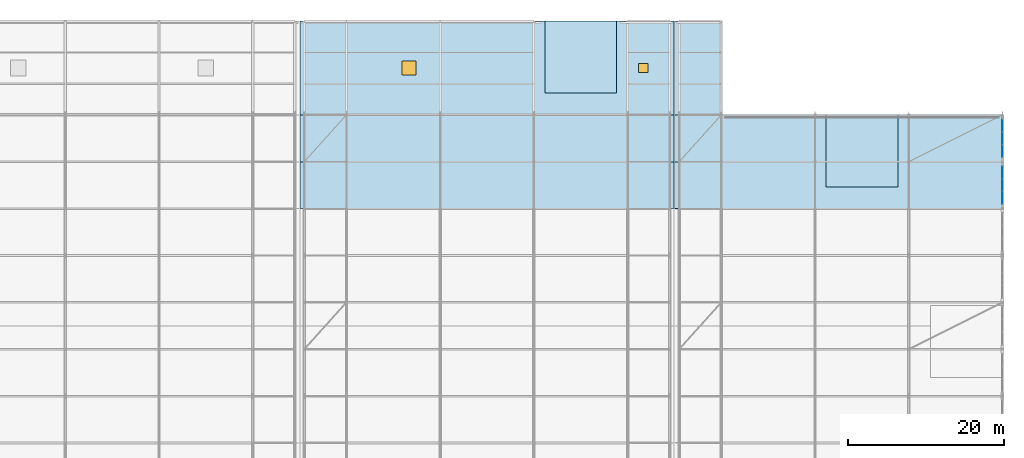
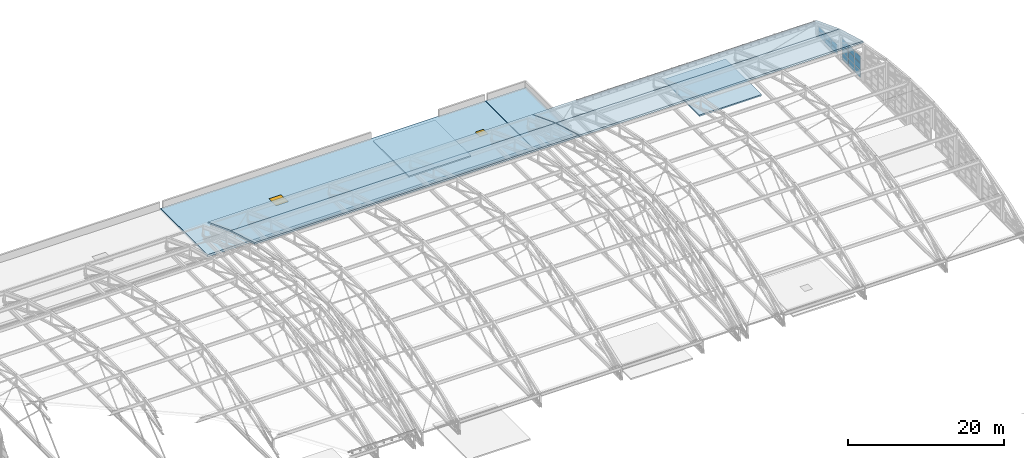
"""IFC4 building model written with IfcOpenShell, lengths in metres."""

from ifc_helpers import new_model, si_unit, direction, frame, origin, origin_2d, place, context, subcontext, project, spatial, polyline, rectangle, outline, extrude, material, layer, layer_set, type_object, element, fill, aggregate, save


model = new_model("IFC4")

# Units and contexts
model_context = context("Model", 3, precision=1e-05, world=origin(), true_north=direction((0.0, 1.0)))
body_context = subcontext(model_context, "Body", "Model", "MODEL_VIEW")
ifc_project = project(units=[si_unit("LENGTHUNIT", "METRE"), si_unit("AREAUNIT", "SQUARE_METRE"), si_unit("VOLUMEUNIT", "CUBIC_METRE"), si_unit("PLANEANGLEUNIT", "RADIAN"), si_unit("MASSUNIT", "GRAM", prefix="KILO")], contexts=[model_context])

# Site, building, storey
site_placement = place(None, origin())
site = spatial("IfcSite", under=ifc_project, at=site_placement, CompositionType="ELEMENT")
building_placement = place(site_placement, origin())
building = spatial("IfcBuilding", under=site, at=building_placement, Name="Zilviju Railside Exhibition Hall", CompositionType="ELEMENT")
storey_1_placement = place(building_placement, frame((0.0, 0.0, 21.0)))
storey_1 = spatial("IfcBuildingStorey", under=building, at=storey_1_placement, Name="RF", CompositionType="ELEMENT", Elevation=21.0)

# Curtain wall, plates
ifc_material_1 = material(Name="Thermally broken aluminium-steel triple-glazed curtain wall", Category="steel")
ifc_layer_1 = layer(ifc_material_1, 0.179931640625)
ifc_layer_set_1 = layer_set([ifc_layer_1], Name="Thermally broken aluminium-steel triple-glazed curtain wall")
curtain_wall_type_1 = type_object("IfcCurtainWallType", Name="CW-BAY-01", PredefinedType="USERDEFINED", material=ifc_layer_set_1)
curtain_wall_1_placement = place(storey_1_placement, origin())
curtain_wall_1 = element("IfcCurtainWall", 1, at=curtain_wall_1_placement, inside=storey_1, type_object=curtain_wall_type_1, Name="North Hall Arch Lower Tympanum Glazing East P9", ObjectType="GLAZED CURTAIN WALL", PredefinedType="USERDEFINED")
ifc_material_2 = material(Name="Laminated acoustic double-glazed porch unit", Category="glass")
ifc_layer_2 = layer(ifc_material_2, 0.031982421875)
ifc_layer_set_2 = layer_set([ifc_layer_2], Name="Laminated acoustic double-glazed porch unit")
plate_type_1 = type_object("IfcPlateType", Name="CWP-IGU-32", PredefinedType="CURTAIN_PANEL", material=ifc_layer_set_2)
plate_1_placement = place(storey_1_placement, frame((216.0, 136.618408203125, -3.5400390625), z_axis=(0.0, 0.0, 1.0), x_axis=(0.0, -1.0, 0.0)))
plate_1 = element("IfcPlate", 2, at=plate_1_placement, type_object=plate_type_1, Name="CW-01 panel 1.1", PredefinedType="CURTAIN_PANEL", context=body_context, shape_type="SweptSolid", body=[
    extrude(rectangle(XDim=1.543212890625, YDim=0.031982421875, at=origin_2d()), origin(), (0.0, 0.0, 1.0), 0.7099609375),
])
plate_2_placement = place(storey_1_placement, frame((216.0, 136.618408203125, -2.77001953125), z_axis=(0.0, 0.0, 1.0), x_axis=(0.0, -1.0, 0.0)))
plate_2 = element("IfcPlate", 3, at=plate_2_placement, type_object=plate_type_1, Name="CW-01 panel 1.2", PredefinedType="CURTAIN_PANEL", context=body_context, shape_type="SweptSolid", body=[
    extrude(rectangle(XDim=1.543212890625, YDim=0.031982421875, at=origin_2d()), origin(), (0.0, 0.0, 1.0), 0.7099609375),
])
plate_3_placement = place(storey_1_placement, frame((216.0, 135.0, -3.5400390625), z_axis=(0.0, 0.0, 1.0), x_axis=(0.0, -1.0, 0.0)))
plate_3 = element("IfcPlate", 4, at=plate_3_placement, type_object=plate_type_1, Name="CW-01 panel 2.1", PredefinedType="CURTAIN_PANEL", context=body_context, shape_type="SweptSolid", body=[
    extrude(rectangle(XDim=1.5732421875, YDim=0.031982421875, at=origin_2d()), origin(), (0.0, 0.0, 1.0), 0.7099609375),
])
plate_4_placement = place(storey_1_placement, frame((216.0, 135.0, -2.77001953125), z_axis=(0.0, 0.0, 1.0), x_axis=(0.0, -1.0, 0.0)))
plate_4 = element("IfcPlate", 5, at=plate_4_placement, type_object=plate_type_1, Name="CW-01 panel 2.2", PredefinedType="CURTAIN_PANEL", context=body_context, shape_type="SweptSolid", body=[
    extrude(rectangle(XDim=1.5732421875, YDim=0.031982421875, at=origin_2d()), origin(), (0.0, 0.0, 1.0), 0.7099609375),
])
plate_5_placement = place(storey_1_placement, frame((216.0, 133.381591796875, -3.5400390625), z_axis=(0.0, 0.0, 1.0), x_axis=(0.0, -1.0, 0.0)))
plate_5 = element("IfcPlate", 6, at=plate_5_placement, type_object=plate_type_1, Name="CW-01 panel 3.1", PredefinedType="CURTAIN_PANEL", context=body_context, shape_type="SweptSolid", body=[
    extrude(rectangle(XDim=1.543212890625, YDim=0.031982421875, at=origin_2d()), origin(), (0.0, 0.0, 1.0), 0.7099609375),
])
plate_6_placement = place(storey_1_placement, frame((216.0, 133.381591796875, -2.77001953125), z_axis=(0.0, 0.0, 1.0), x_axis=(0.0, -1.0, 0.0)))
plate_6 = element("IfcPlate", 7, at=plate_6_placement, type_object=plate_type_1, Name="CW-01 panel 3.2", PredefinedType="CURTAIN_PANEL", context=body_context, shape_type="SweptSolid", body=[
    extrude(rectangle(XDim=1.543212890625, YDim=0.031982421875, at=origin_2d()), origin(), (0.0, 0.0, 1.0), 0.7099609375),
])
aggregate(curtain_wall_1, [plate_1, plate_2, plate_3, plate_4, plate_5, plate_6])

ifc_layer_3 = layer(ifc_material_1, 0.179931640625)
ifc_layer_set_3 = layer_set([ifc_layer_3], Name="Thermally broken aluminium-steel triple-glazed curtain wall")
curtain_wall_type_2 = type_object("IfcCurtainWallType", Name="CW-BAY-20", PredefinedType="USERDEFINED", material=ifc_layer_set_3)
curtain_wall_2_placement = place(storey_1_placement, origin())
curtain_wall_2 = element("IfcCurtainWall", 8, at=curtain_wall_2_placement, inside=storey_1, type_object=curtain_wall_type_2, Name="North Hall Arch Lower Tympanum Glazing East P8", ObjectType="GLAZED CURTAIN WALL", PredefinedType="USERDEFINED")
ifc_material_3 = material(Name="Triple-glazed solar-control glass unit", Category="glass")
ifc_layer_4 = layer(ifc_material_3, 0.0380859375)
ifc_layer_set_4 = layer_set([ifc_layer_4], Name="Triple-glazed solar-control glass unit")
plate_type_2 = type_object("IfcPlateType", Name="CWP-IGU-38", PredefinedType="CURTAIN_PANEL", material=ifc_layer_set_4)
plate_7_placement = place(storey_1_placement, frame((216.0, 130.6171875, -3.53515625), z_axis=(0.0, 0.0, 1.0), x_axis=(0.0, -1.0, 0.0)))
plate_7 = element("IfcPlate", 9, at=plate_7_placement, type_object=plate_type_2, Name="CW-20 panel 1.1", PredefinedType="CURTAIN_PANEL", context=body_context, shape_type="SweptSolid", body=[
    extrude(rectangle(XDim=1.535888671875, YDim=0.0380859375, at=origin_2d()), origin(), (0.0, 0.0, 1.0), 1.035400390625),
])
plate_8_placement = place(storey_1_placement, frame((216.0, 130.6171875, -2.4345703125), z_axis=(0.0, 0.0, 1.0), x_axis=(0.0, -1.0, 0.0)))
plate_8 = element("IfcPlate", 10, at=plate_8_placement, type_object=plate_type_2, Name="CW-20 panel 1.2", PredefinedType="CURTAIN_PANEL", context=body_context, shape_type="SweptSolid", body=[
    extrude(rectangle(XDim=1.535888671875, YDim=0.0380859375, at=origin_2d()), origin(), (0.0, 0.0, 1.0), 1.069091796875),
])
plate_9_placement = place(storey_1_placement, frame((216.0, 130.6171875, -1.30029296875), z_axis=(0.0, 0.0, 1.0), x_axis=(0.0, -1.0, 0.0)))
plate_9 = element("IfcPlate", 11, at=plate_9_placement, type_object=plate_type_2, Name="CW-20 panel 1.3", PredefinedType="CURTAIN_PANEL", context=body_context, shape_type="SweptSolid", body=[
    extrude(rectangle(XDim=1.535888671875, YDim=0.0380859375, at=origin_2d()), origin(), (0.0, 0.0, 1.0), 1.035400390625),
])
plate_10_placement = place(storey_1_placement, frame((216.0, 129.0, -3.53515625), z_axis=(0.0, 0.0, 1.0), x_axis=(0.0, -1.0, 0.0)))
plate_10 = element("IfcPlate", 12, at=plate_10_placement, type_object=plate_type_2, Name="CW-20 panel 2.1", PredefinedType="CURTAIN_PANEL", context=body_context, shape_type="SweptSolid", body=[
    extrude(rectangle(XDim=1.568359375, YDim=0.0380859375, at=origin_2d()), origin(), (0.0, 0.0, 1.0), 1.035400390625),
])
plate_11_placement = place(storey_1_placement, frame((216.0, 129.0, -2.4345703125), z_axis=(0.0, 0.0, 1.0), x_axis=(0.0, -1.0, 0.0)))
plate_11 = element("IfcPlate", 13, at=plate_11_placement, type_object=plate_type_2, Name="CW-20 panel 2.2", PredefinedType="CURTAIN_PANEL", context=body_context, shape_type="SweptSolid", body=[
    extrude(rectangle(XDim=1.568359375, YDim=0.0380859375, at=origin_2d()), origin(), (0.0, 0.0, 1.0), 1.069091796875),
])
plate_12_placement = place(storey_1_placement, frame((216.0, 129.0, -1.30029296875), z_axis=(0.0, 0.0, 1.0), x_axis=(0.0, -1.0, 0.0)))
plate_12 = element("IfcPlate", 14, at=plate_12_placement, type_object=plate_type_2, Name="CW-20 panel 2.3", PredefinedType="CURTAIN_PANEL", context=body_context, shape_type="SweptSolid", body=[
    extrude(rectangle(XDim=1.568359375, YDim=0.0380859375, at=origin_2d()), origin(), (0.0, 0.0, 1.0), 1.035400390625),
])
plate_13_placement = place(storey_1_placement, frame((216.0, 127.3828125, -3.53515625), z_axis=(0.0, 0.0, 1.0), x_axis=(0.0, -1.0, 0.0)))
plate_13 = element("IfcPlate", 15, at=plate_13_placement, type_object=plate_type_2, Name="CW-20 panel 3.1", PredefinedType="CURTAIN_PANEL", context=body_context, shape_type="SweptSolid", body=[
    extrude(rectangle(XDim=1.535888671875, YDim=0.0380859375, at=origin_2d()), origin(), (0.0, 0.0, 1.0), 1.035400390625),
])
plate_14_placement = place(storey_1_placement, frame((216.0, 127.3828125, -2.4345703125), z_axis=(0.0, 0.0, 1.0), x_axis=(0.0, -1.0, 0.0)))
plate_14 = element("IfcPlate", 16, at=plate_14_placement, type_object=plate_type_2, Name="CW-20 panel 3.2", PredefinedType="CURTAIN_PANEL", context=body_context, shape_type="SweptSolid", body=[
    extrude(rectangle(XDim=1.535888671875, YDim=0.0380859375, at=origin_2d()), origin(), (0.0, 0.0, 1.0), 1.069091796875),
])
plate_15_placement = place(storey_1_placement, frame((216.0, 127.3828125, -1.30029296875), z_axis=(0.0, 0.0, 1.0), x_axis=(0.0, -1.0, 0.0)))
plate_15 = element("IfcPlate", 17, at=plate_15_placement, type_object=plate_type_2, Name="CW-20 panel 3.3", PredefinedType="CURTAIN_PANEL", context=body_context, shape_type="SweptSolid", body=[
    extrude(rectangle(XDim=1.535888671875, YDim=0.0380859375, at=origin_2d()), origin(), (0.0, 0.0, 1.0), 1.035400390625),
])
aggregate(curtain_wall_2, [plate_7, plate_8, plate_9, plate_10, plate_11, plate_12, plate_13, plate_14, plate_15])

# Slabs
ifc_material_4 = material(Name="Concrete C35/45", Category="concrete")
ifc_layer_5 = layer(ifc_material_4, 0.219970703125)
ifc_layer_set_5 = layer_set([ifc_layer_5], Name="Concrete C35/45")
slab_type_1 = type_object("IfcSlabType", Name="SL-RCAP-220", PredefinedType="ROOF", material=ifc_layer_set_5)
slab_1_placement = place(storey_1_placement, frame((0.0, 0.0, -3.02001953125)))
element("IfcSlab", 18, at=slab_1_placement, inside=storey_1, type_object=slab_type_1, Name="Core C08 North Hall Rail East Overrun Roof Cap", PredefinedType="ROOF", context=body_context, shape_type="SweptSolid", body=[
    extrude(outline(polyline([(193.39990234375, 128.800048828125), (202.60009765625, 128.800048828125), (202.60009765625, 138.0), (193.39990234375, 138.0), (193.39990234375, 128.800048828125)])), origin(), (0.0, 0.0, 1.0), 0.219970703125),
])
slab_2_placement = place(storey_1_placement, frame((0.0, 0.0, -7.219970703125)))
element("IfcSlab", 19, at=slab_2_placement, inside=storey_1, type_object=slab_type_1, Name="Core C17 Logistics Wing East Overrun Roof Cap", PredefinedType="ROOF", context=body_context, shape_type="SweptSolid", body=[
    extrude(outline(polyline([(157.39990234375, 140.800048828125), (166.60009765625, 140.800048828125), (166.60009765625, 150.0), (157.39990234375, 150.0), (157.39990234375, 140.800048828125)])), origin(), (0.0, 0.0, 1.0), 0.219970703125),
])

# Slab, openings
ifc_material_5 = material(Name="Concrete C40/50", Category="concrete")
ifc_layer_6 = layer(ifc_material_5, 0.35009765625)
ifc_layer_set_6 = layer_set([ifc_layer_6], Name="Concrete C40/50")
slab_type_2 = type_object("IfcSlabType", Name="SL-RG-350", PredefinedType="ROOF", material=ifc_layer_set_6)
slab_3_placement = place(storey_1_placement, frame((0.0, 0.0, -6.949951171875)))
slab_3 = element("IfcSlab", 20, at=slab_3_placement, inside=storey_1, type_object=slab_type_2, Name="Logistics Wing Acoustic Green Roof Panel 3", PredefinedType="ROOF", context=body_context, shape_type="SweptSolid", body=[
    extrude(outline(polyline([(126.030029296875, 138.0), (173.969970703125, 138.0), (173.969970703125, 150.0), (126.030029296875, 150.0), (126.030029296875, 138.0)])), origin(), (0.0, 0.0, 1.0), 0.349853515625),
])
opening_1_placement = place(slab_3_placement, frame((140.0, 144.0, 0.0)))
opening_1 = element("IfcOpeningElement", 21, at=opening_1_placement, cuts=slab_3, Name="Opening SK-03", PredefinedType="OPENING", context=body_context, shape_type="SweptSolid", body=[
    extrude(rectangle(XDim=1.800048828125, YDim=1.800048828125, at=origin_2d()), frame((0.0, 0.0, -0.010009765625)), (0.0, 0.0, 1.0), 0.369873046875),
])
opening_2_placement = place(slab_3_placement, frame((170.0, 144.0, 0.0)))
opening_2 = element("IfcOpeningElement", 22, at=opening_2_placement, cuts=slab_3, Name="Opening SK-04", PredefinedType="OPENING", context=body_context, shape_type="SweptSolid", body=[
    extrude(rectangle(XDim=1.199951171875, YDim=1.199951171875, at=origin_2d()), frame((0.0, 0.0, -0.010009765625)), (0.0, 0.0, 1.0), 0.369873046875),
])

# Storey
storey_2_placement = place(building_placement, frame((0.0, 0.0, 8.39990234375)))
storey_2 = spatial("IfcBuildingStorey", under=building, at=storey_2_placement, Name="L03", CompositionType="ELEMENT", Elevation=8.39990234375)

# Window
ifc_material_6 = material(Name="Triple-glazed timber-aluminium window unit", Category="wood")
window_type_1 = type_object("IfcWindowType", Name="SKY-HT-120x120", PartitioningType="SINGLE_PANEL", PredefinedType="SKYLIGHT", material=ifc_material_6)
window_1_placement = place(opening_2_placement, frame((0.0, 0.0, 0.289794921875)))
window_1 = element("IfcWindow", 23, at=window_1_placement, inside=storey_2, type_object=window_type_1, Name="ROOF ACCESS HATCH RH-01", OverallHeight=1.199951171875, OverallWidth=1.199951171875, PartitioningType="SINGLE_PANEL", PredefinedType="SKYLIGHT", context=body_context, shape_type="SweptSolid", body=[
    extrude(rectangle(XDim=1.199951171875, YDim=1.199951171875, at=origin_2d()), origin(), (0.0, 0.0, 1.0), 0.06005859375),
])

fill(opening_2, window_1)

window_type_2 = type_object("IfcWindowType", Name="SKY-SV-180x180", PartitioningType="DOUBLE_PANEL_VERTICAL", PredefinedType="SKYLIGHT", material=ifc_material_6)
window_2_placement = place(opening_1_placement, frame((0.0, 0.0, 0.289794921875)))
window_2 = element("IfcWindow", 24, at=window_2_placement, inside=storey_2, type_object=window_type_2, Name="Apron Smoke Exhaust Hatch SV-05", OverallHeight=1.800048828125, OverallWidth=1.800048828125, PartitioningType="SINGLE_PANEL", PredefinedType="SKYLIGHT", context=body_context, shape_type="SweptSolid", body=[
    extrude(rectangle(XDim=1.800048828125, YDim=1.800048828125, at=origin_2d()), origin(), (0.0, 0.0, 1.0), 0.06005859375),
])

fill(opening_1, window_2)

# Slab
slab_4_placement = place(storey_1_placement, frame((0.0, 0.0, -6.949951171875)))
element("IfcSlab", 25, at=slab_4_placement, inside=storey_1, type_object=slab_type_2, Name="Logistics Wing Acoustic Green Roof Panel 4", PredefinedType="ROOF", context=body_context, shape_type="SweptSolid", body=[
    extrude(outline(polyline([(174.030029296875, 138.0), (180.0, 138.0), (180.0, 150.0), (174.030029296875, 150.0), (174.030029296875, 138.0)])), origin(), (0.0, 0.0, 1.0), 0.349853515625),
])

# Roof, slabs
ifc_material_7 = material(Name="Standing-seam zinc-copper acoustic barrel roof deck", Category="steel")
ifc_layer_7 = layer(ifc_material_7, 0.239990234375)
ifc_layer_set_7 = layer_set([ifc_layer_7], Name="Standing-seam zinc-copper acoustic barrel roof deck")
roof_type = type_object("IfcRoofType", Name="ROOF-BARREL-ZINC", PredefinedType="BARREL_ROOF", material=ifc_layer_set_7)
roof_1_placement = place(storey_1_placement, origin())
roof_1 = element("IfcRoof", 26, at=roof_1_placement, inside=storey_1, type_object=roof_type, Name="V2 Standing-Seam Barrel Vault Roof Block 2", PredefinedType="BARREL_ROOF")
ifc_layer_8 = layer(ifc_material_4, 0.239990234375)
ifc_layer_set_8 = layer_set([ifc_layer_8], Name="Concrete C35/45")
slab_type_3 = type_object("IfcSlabType", Name="SL-ROOF-240", PredefinedType="ROOF", material=ifc_layer_set_8)
slab_5_placement = place(storey_1_placement, frame((126.030029296875, 126.02490234375, 2.53759765625), z_axis=(0.0, 0.275317695381, 0.961353299578), x_axis=(1.0, 0.0, 0.0)))
slab_5 = element("IfcSlab", 27, at=slab_5_placement, type_object=slab_type_3, Name="V2 Barrel Vault Roof Deck B2.9", PredefinedType="ROOF", context=body_context, shape_type="SweptSolid", body=[
    extrude(outline(polyline([(0.0, 0.0), (47.93994140625, 0.0), (47.93994140625, 6.2152984328136895), (0.0, 6.2152984328136895), (0.0, 0.0)])), origin(), (0.0, 0.0, -1.0), 0.239990234375),
])
slab_6_placement = place(storey_1_placement, frame((126.030029296875, 132.0, 0.826416015625), z_axis=(0.0, 0.35678239229, 0.934187521086), x_axis=(1.0, 0.0, 0.0)))
slab_6 = element("IfcSlab", 28, at=slab_6_placement, type_object=slab_type_3, Name="V2 Barrel Vault Roof Deck B2.10", PredefinedType="ROOF", context=body_context, shape_type="SweptSolid", body=[
    extrude(outline(polyline([(0.0, 0.0), (47.93994140625, 0.0), (47.93994140625, 6.422693372126604), (0.0, 6.422693372126604), (0.0, 0.0)])), origin(), (0.0, 0.0, -1.0), 0.239990234375),
])
aggregate(roof_1, [slab_5, slab_6])

roof_2_placement = place(storey_1_placement, origin())
roof_2 = element("IfcRoof", 29, at=roof_2_placement, inside=storey_1, type_object=roof_type, Name="V2 Standing-Seam Barrel Vault Roof Block 3", PredefinedType="BARREL_ROOF")
slab_7_placement = place(storey_1_placement, frame((174.030029296875, 126.02490234375, 2.53759765625), z_axis=(0.0, 0.275317695381, 0.961353299578), x_axis=(1.0, 0.0, 0.0)))
slab_7 = element("IfcSlab", 30, at=slab_7_placement, type_object=slab_type_3, Name="V2 Barrel Vault Roof Deck B3.9", PredefinedType="ROOF", context=body_context, shape_type="SweptSolid", body=[
    extrude(outline(polyline([(0.0, 0.0), (41.969970703125, 0.0), (41.969970703125, 6.21529843281369), (0.0, 6.21529843281369), (0.0, 0.0)])), origin(), (0.0, 0.0, -1.0), 0.239990234375),
])
slab_8_placement = place(storey_1_placement, frame((174.030029296875, 132.0, 0.826416015625), z_axis=(0.0, 0.35678239229, 0.934187521086), x_axis=(1.0, 0.0, 0.0)))
slab_8 = element("IfcSlab", 31, at=slab_8_placement, type_object=slab_type_3, Name="V2 Barrel Vault Roof Deck B3.10", PredefinedType="ROOF", context=body_context, shape_type="SweptSolid", body=[
    extrude(outline(polyline([(0.0, 0.0), (41.969970703125, 0.0), (41.969970703125, 6.422693372126604), (0.0, 6.422693372126604), (0.0, 0.0)])), origin(), (0.0, 0.0, -1.0), 0.239990234375),
])
aggregate(roof_2, [slab_7, slab_8])

save(model, "model.ifc")
